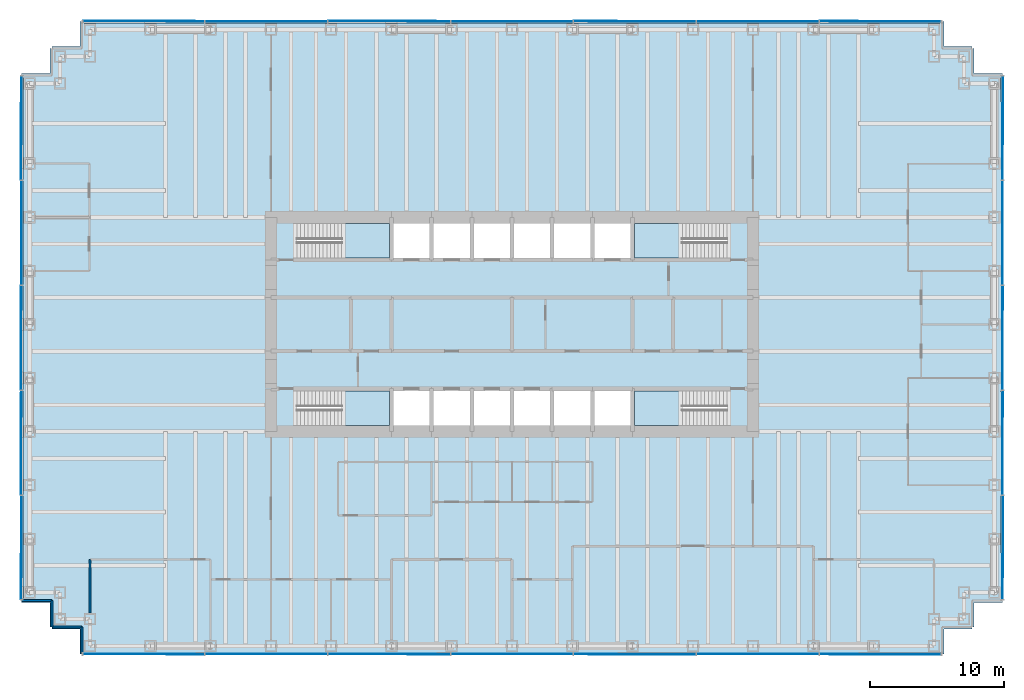
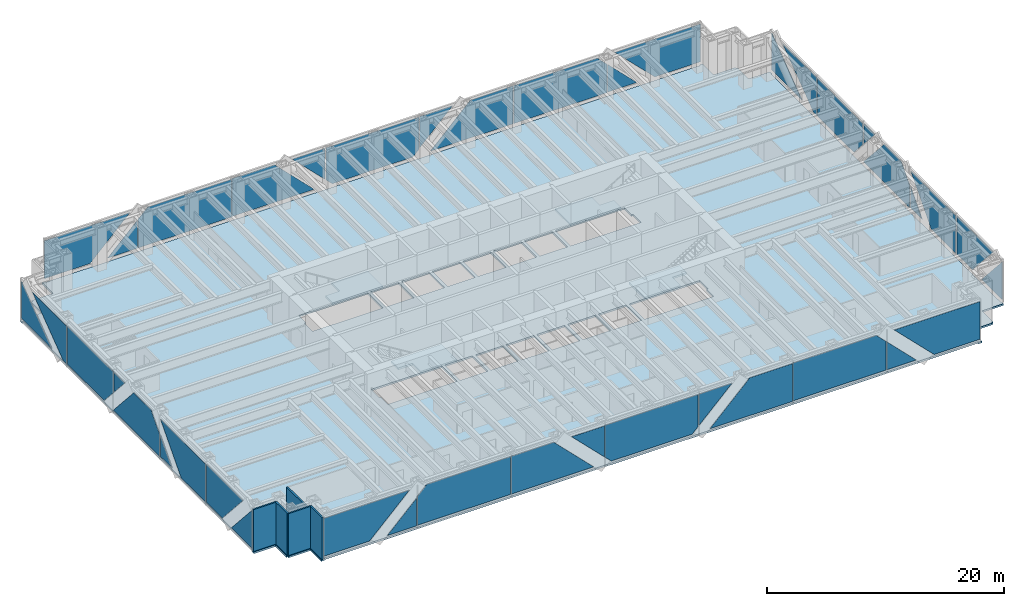
# One storey, part 8 of 13: 40 plates, 5 slabs, 5 walls, 8 elements without a shape of their own.
"""IFC4 building model written with IfcOpenShell, lengths in metres."""

from ifc_helpers import new_model, si_unit, direction, frame, frame_2d, origin, place, context, subcontext, project, spatial, polyline, rectangle, outline, extrude, material, layer, layer_set, type_object, element, aggregate, save


model = new_model("IFC4")

# Units and contexts
model_context = context("Model", 3, precision=1e-05, world=origin(), true_north=direction((0.0, 1.0)))
body_context = subcontext(model_context, "Body", "Model", "MODEL_VIEW")
ifc_project = project(units=[si_unit("LENGTHUNIT", "METRE"), si_unit("AREAUNIT", "SQUARE_METRE"), si_unit("VOLUMEUNIT", "CUBIC_METRE"), si_unit("PLANEANGLEUNIT", "RADIAN"), si_unit("MASSUNIT", "GRAM", prefix="KILO")], contexts=[model_context])

# Site, building, storey
site_placement = place(None, origin())
site = spatial("IfcSite", under=ifc_project, at=site_placement, CompositionType="ELEMENT")
building_placement = place(site_placement, origin())
building = spatial("IfcBuilding", under=site, at=building_placement, Name="Rheinbord Bourse Tower", CompositionType="ELEMENT")
storey_placement = place(building_placement, frame((0.0, 0.0, 36.5)))
storey = spatial("IfcBuildingStorey", under=building, at=storey_placement, Name="L07", CompositionType="ELEMENT", Elevation=36.5)

# Slab
ifc_material_1 = material(Name="Concrete C30/37", Category="concrete")
ifc_layer_1 = layer(ifc_material_1, 0.179931640625)
ifc_layer_set_1 = layer_set([ifc_layer_1], Name="COMPOSITE FLOOR SLAB 180")
slab_type_1 = type_object("IfcSlabType", Name="COMPOSITE FLOOR SLAB 180", PredefinedType="FLOOR", material=ifc_layer_set_1)
slab_1_placement = place(storey_placement, frame((0.0, 0.0, -0.179931640625)))
element("IfcSlab", 1, at=slab_1_placement, inside=storey, type_object=slab_type_1, Name="Floor slab L07", PredefinedType="FLOOR", context=body_context, shape_type="SweptSolid", body=[
    extrude(outline(polyline([(1.64990234375, 1.39990234375), (1.5, 1.39990234375), (1.5, 3.25), (-0.60009765625, 3.25), (-0.60009765625, 3.550048828125), (-0.5, 3.550048828125), (-0.5, 42.449951171875), (-0.60009765625, 42.449951171875), (-0.60009765625, 42.75), (1.5, 42.75), (1.5, 44.60009765625), (1.64990234375, 44.60009765625), (1.64990234375, 44.75), (3.75, 44.75), (3.75, 46.60009765625), (4.050048828125, 46.60009765625), (4.050048828125, 46.5), (67.949951171875, 46.5), (67.949951171875, 46.60009765625), (68.25, 46.60009765625), (68.25, 44.75), (70.35009765625, 44.75), (70.35009765625, 44.60009765625), (70.5, 44.60009765625), (70.5, 42.75), (72.60009765625, 42.75), (72.60009765625, 42.449951171875), (72.5, 42.449951171875), (72.5, 3.550048828125), (72.60009765625, 3.550048828125), (72.60009765625, 3.25), (70.5, 3.25), (70.5, 1.39990234375), (70.35009765625, 1.39990234375), (70.35009765625, 1.25), (68.25, 1.25), (68.25, -0.60009765625), (67.949951171875, -0.60009765625), (67.949951171875, -0.5), (4.050048828125, -0.5), (4.050048828125, -0.60009765625), (3.75, -0.60009765625), (3.75, 1.25), (1.64990234375, 1.25), (1.64990234375, 1.39990234375)]), holes=[polyline([(19.949951171875, 19.050048828125), (26.85009765625, 19.050048828125), (26.85009765625, 16.449951171875), (20.10009765625, 16.449951171875), (20.10009765625, 17.64990234375), (19.949951171875, 17.64990234375), (19.949951171875, 19.050048828125)]), polyline([(26.85009765625, 31.550048828125), (26.85009765625, 28.949951171875), (19.949951171875, 28.949951171875), (19.949951171875, 30.35009765625), (20.10009765625, 30.35009765625), (20.10009765625, 31.550048828125), (26.85009765625, 31.550048828125)]), polyline([(45.14990234375, 16.449951171875), (45.14990234375, 19.050048828125), (52.050048828125, 19.050048828125), (52.050048828125, 17.64990234375), (51.89990234375, 17.64990234375), (51.89990234375, 16.449951171875), (45.14990234375, 16.449951171875)]), polyline([(52.050048828125, 28.949951171875), (45.14990234375, 28.949951171875), (45.14990234375, 31.550048828125), (51.89990234375, 31.550048828125), (51.89990234375, 30.35009765625), (52.050048828125, 30.35009765625), (52.050048828125, 28.949951171875)]), polyline([(27.14990234375, 16.449951171875), (27.14990234375, 19.050048828125), (29.85009765625, 19.050048828125), (29.85009765625, 16.449951171875), (27.14990234375, 16.449951171875)]), polyline([(27.14990234375, 28.949951171875), (27.14990234375, 31.550048828125), (29.85009765625, 31.550048828125), (29.85009765625, 28.949951171875), (27.14990234375, 28.949951171875)]), polyline([(30.14990234375, 16.449951171875), (30.14990234375, 19.050048828125), (32.85009765625, 19.050048828125), (32.85009765625, 16.449951171875), (30.14990234375, 16.449951171875)]), polyline([(30.14990234375, 28.949951171875), (30.14990234375, 31.550048828125), (32.85009765625, 31.550048828125), (32.85009765625, 28.949951171875), (30.14990234375, 28.949951171875)]), polyline([(33.14990234375, 16.449951171875), (33.14990234375, 19.050048828125), (35.85009765625, 19.050048828125), (35.85009765625, 16.449951171875), (33.14990234375, 16.449951171875)]), polyline([(33.14990234375, 28.949951171875), (33.14990234375, 31.550048828125), (35.85009765625, 31.550048828125), (35.85009765625, 28.949951171875), (33.14990234375, 28.949951171875)]), polyline([(36.14990234375, 16.449951171875), (36.14990234375, 19.050048828125), (38.85009765625, 19.050048828125), (38.85009765625, 16.449951171875), (36.14990234375, 16.449951171875)]), polyline([(36.14990234375, 28.949951171875), (36.14990234375, 31.550048828125), (38.85009765625, 31.550048828125), (38.85009765625, 28.949951171875), (36.14990234375, 28.949951171875)]), polyline([(39.14990234375, 16.449951171875), (39.14990234375, 19.050048828125), (41.85009765625, 19.050048828125), (41.85009765625, 16.449951171875), (39.14990234375, 16.449951171875)]), polyline([(39.14990234375, 28.949951171875), (39.14990234375, 31.550048828125), (41.85009765625, 31.550048828125), (41.85009765625, 28.949951171875), (39.14990234375, 28.949951171875)]), polyline([(42.14990234375, 16.449951171875), (42.14990234375, 19.050048828125), (44.85009765625, 19.050048828125), (44.85009765625, 16.449951171875), (42.14990234375, 16.449951171875)]), polyline([(42.14990234375, 28.949951171875), (42.14990234375, 31.550048828125), (44.85009765625, 31.550048828125), (44.85009765625, 28.949951171875), (42.14990234375, 28.949951171875)])]), origin(), (0.0, 0.0, 1.0), 0.179931640625),
])

# Curtain wall, plates
ifc_material_2 = material(Name="Dark glass and black aluminium", Category="aluminium")
curtain_wall_type = type_object("IfcCurtainWallType", Name="CW1 DARK GLASS CURTAIN WALL", PredefinedType="USERDEFINED", material=ifc_material_2)
curtain_wall_1_placement = place(storey_placement, origin())
curtain_wall_1 = element("IfcCurtainWall", 2, at=curtain_wall_1_placement, inside=storey, type_object=curtain_wall_type, Name="Curtain wall CW1 S L07", ObjectType="UNITISED CURTAIN WALL", PredefinedType="USERDEFINED")
ifc_material_3 = material(Name="Dark tinted triple insulating glass", Category="glass")
ifc_layer_2 = layer(ifc_material_3, 0.0439453125)
ifc_layer_set_2 = layer_set([ifc_layer_2], Name="CW1 DARK GLASS PANEL")
plate_type = type_object("IfcPlateType", Name="CW1 DARK GLASS PANEL", PredefinedType="CURTAIN_PANEL", material=ifc_layer_set_2)
plate_1_placement = place(storey_placement, frame((3.97998046875, -0.6220703125, 0.300048828125), z_axis=(0.0, 1.0, 0.0), x_axis=(0.0, 0.0, 1.0)))
plate_1 = element("IfcPlate", 3, at=plate_1_placement, type_object=plate_type, Name="CW1 glass facet 1", PredefinedType="CURTAIN_PANEL", context=body_context, shape_type="SweptSolid", body=[
    extrude(outline(polyline([(0.0, 0.0), (3.89990234375, 0.0), (3.89990234375, 8.364013671875), (0.0, 4.464111328125), (0.0, 0.0)])), origin(), (0.0, 0.0, 1.0), 0.0439453125),
])
plate_2_placement = place(storey_placement, frame((13.031005859375, -0.6708984375, 0.300048828125), z_axis=(0.0, 1.0, 0.0), x_axis=(-1.0, 0.0, 0.0)))
plate_2 = element("IfcPlate", 4, at=plate_2_placement, type_object=plate_type, Name="CW1 glass facet 2", PredefinedType="CURTAIN_PANEL", context=body_context, shape_type="SweptSolid", body=[
    extrude(outline(polyline([(0.0, 0.0), (2.875, 0.0), (0.0, 2.8759765625), (0.0, 0.0)])), origin(), (0.0, 0.0, 1.0), 0.0439453125),
])
plate_3_placement = place(storey_placement, frame((22.202880859375, -0.6220703125, 4.199951171875), z_axis=(0.0, 1.0, 0.0), x_axis=(0.0, 0.0, -1.0)))
plate_3 = element("IfcPlate", 5, at=plate_3_placement, type_object=plate_type, Name="CW1 glass facet 1", PredefinedType="CURTAIN_PANEL", context=body_context, shape_type="SweptSolid", body=[
    extrude(outline(polyline([(0.0, 0.0), (3.89990234375, 0.0), (3.89990234375, 9.091796875), (0.94384765625, 9.091796875), (0.0, 8.14697265625), (0.0, 0.0)])), origin(), (0.0, 0.0, 1.0), 0.0439453125),
])
plate_4_placement = place(storey_placement, frame((22.282958984375, -0.6220703125, 0.300048828125), z_axis=(0.0, 1.0, 0.0), x_axis=(0.0, 0.0, 1.0)))
plate_4 = element("IfcPlate", 6, at=plate_4_placement, type_object=plate_type, Name="CW1 glass facet 1", PredefinedType="CURTAIN_PANEL", context=body_context, shape_type="SweptSolid", body=[
    extrude(outline(polyline([(0.0, 0.0), (3.89990234375, 0.0), (3.89990234375, 4.1611328125), (0.0, 8.06103515625), (0.0, 0.0)])), origin(), (0.0, 0.0, 1.0), 0.0439453125),
])
plate_5_placement = place(storey_placement, frame((31.3740234375, -0.6708984375, 4.199951171875), z_axis=(0.0, 1.0, 0.0), x_axis=(0.0, 0.0, -1.0)))
plate_5 = element("IfcPlate", 7, at=plate_5_placement, type_object=plate_type, Name="CW1 glass facet 2", PredefinedType="CURTAIN_PANEL", context=body_context, shape_type="SweptSolid", body=[
    extrude(outline(polyline([(0.0, 0.0), (3.218994140625, 0.0), (0.0, 3.218017578125), (0.0, 0.0)])), origin(), (0.0, 0.0, 1.0), 0.0439453125),
])
plate_6_placement = place(storey_placement, frame((32.055908203125, -0.6220703125, 0.300048828125), z_axis=(0.0, 1.0, 0.0), x_axis=(-0.707680731212, 0.0, 0.706532364914)))
plate_6 = element("IfcPlate", 8, at=plate_6_placement, type_object=plate_type, Name="CW1 glass facet 1", PredefinedType="CURTAIN_PANEL", context=body_context, shape_type="SweptSolid", body=[
    extrude(outline(polyline([(0.0, 0.0), (0.850341796875, 0.0), (3.181396484375, 2.334716796875), (-3.252685546875, 8.75830078125), (-5.583740234375, 6.423583984375), (-5.582275390625, 5.5732421875), (0.0, 0.0)])), origin(), (0.0, 0.0, 1.0), 0.0439453125),
])
plate_7_placement = place(storey_placement, frame((40.6259765625, -0.6220703125, 4.199951171875), z_axis=(0.0, 1.0, 0.0), x_axis=(1.0, 0.0, 0.0)))
plate_7 = element("IfcPlate", 9, at=plate_7_placement, type_object=plate_type, Name="CW1 glass facet 1", PredefinedType="CURTAIN_PANEL", context=body_context, shape_type="SweptSolid", body=[
    extrude(outline(polyline([(0.0, 0.0), (3.218017578125, 0.0), (0.0, 3.218994140625), (0.0, 0.0)])), origin(), (0.0, 0.0, 1.0), 0.0439453125),
])
plate_8_placement = place(storey_placement, frame((49.717041015625, -0.6708984375, 4.199951171875), z_axis=(0.0, 1.0, 0.0), x_axis=(0.0, 0.0, -1.0)))
plate_8 = element("IfcPlate", 10, at=plate_8_placement, type_object=plate_type, Name="CW1 glass facet 2", PredefinedType="CURTAIN_PANEL", context=body_context, shape_type="SweptSolid", body=[
    extrude(outline(polyline([(0.0, 0.0), (3.89990234375, 0.0), (3.89990234375, 8.06103515625), (0.0, 4.1611328125), (0.0, 0.0)])), origin(), (0.0, 0.0, 1.0), 0.0439453125),
])
plate_9_placement = place(storey_placement, frame((58.888916015625, -0.6220703125, 0.300048828125), z_axis=(0.0, 1.0, 0.0), x_axis=(-1.0, 0.0, 0.0)))
plate_9 = element("IfcPlate", 11, at=plate_9_placement, type_object=plate_type, Name="CW1 glass facet 1", PredefinedType="CURTAIN_PANEL", context=body_context, shape_type="SweptSolid", body=[
    extrude(outline(polyline([(0.0, 0.0), (9.091796875, 0.0), (9.091796875, 3.89990234375), (0.94482421875, 3.89990234375), (0.0, 2.9560546875), (0.0, 0.0)])), origin(), (0.0, 0.0, 1.0), 0.0439453125),
])
plate_10_placement = place(storey_placement, frame((58.968994140625, -0.6220703125, 0.300048828125), z_axis=(0.0, 1.0, 0.0), x_axis=(0.0, 0.0, 1.0)))
plate_10 = element("IfcPlate", 12, at=plate_10_placement, type_object=plate_type, Name="CW1 glass facet 1", PredefinedType="CURTAIN_PANEL", context=body_context, shape_type="SweptSolid", body=[
    extrude(outline(polyline([(0.0, 0.0), (2.8759765625, 0.0), (0.0, 2.875), (0.0, 0.0)])), origin(), (0.0, 0.0, 1.0), 0.0439453125),
])
plate_11_placement = place(storey_placement, frame((68.02001953125, -0.6708984375, 4.199951171875), z_axis=(0.0, 1.0, 0.0), x_axis=(0.0, 0.0, -1.0)))
plate_11 = element("IfcPlate", 13, at=plate_11_placement, type_object=plate_type, Name="CW1 glass facet 2", PredefinedType="CURTAIN_PANEL", context=body_context, shape_type="SweptSolid", body=[
    extrude(outline(polyline([(0.0, 0.0), (3.89990234375, 0.0), (3.89990234375, 4.464111328125), (0.0, 8.364013671875), (0.0, 0.0)])), origin(), (0.0, 0.0, 1.0), 0.0439453125),
])
aggregate(curtain_wall_1, [plate_1, plate_2, plate_3, plate_4, plate_5, plate_6, plate_7, plate_8, plate_9, plate_10, plate_11])

curtain_wall_2_placement = place(storey_placement, origin())
curtain_wall_2 = element("IfcCurtainWall", 14, at=curtain_wall_2_placement, inside=storey, type_object=curtain_wall_type, Name="Curtain wall CW1 E L07", ObjectType="UNITISED CURTAIN WALL", PredefinedType="USERDEFINED")
plate_12_placement = place(storey_placement, frame((72.6220703125, 3.47998046875, 0.300048828125), z_axis=(-1.0, 0.0, 0.0), x_axis=(0.0, 0.0, 1.0)))
plate_12 = element("IfcPlate", 15, at=plate_12_placement, type_object=plate_type, Name="CW1 glass facet 1", PredefinedType="CURTAIN_PANEL", context=body_context, shape_type="SweptSolid", body=[
    extrude(outline(polyline([(0.0, 0.0), (3.8740234375, 0.0), (0.0, 3.444091796875), (0.0, 0.0)])), origin(), (0.0, 0.0, 1.0), 0.0439453125),
])
plate_13_placement = place(storey_placement, frame((72.6708984375, 11.199951171875, 4.199951171875), z_axis=(-1.0, 0.0, 0.0), x_axis=(0.0, 0.0, -1.0)))
plate_13 = element("IfcPlate", 16, at=plate_13_placement, type_object=plate_type, Name="CW1 glass facet 2", PredefinedType="CURTAIN_PANEL", context=body_context, shape_type="SweptSolid", body=[
    extrude(outline(polyline([(0.0, 0.0), (3.89990234375, 0.0), (3.89990234375, 2.656982421875), (0.0, 6.1240234375), (0.0, 0.0)])), origin(), (0.0, 0.0, 1.0), 0.0439453125),
])
plate_14_placement = place(storey_placement, frame((72.6220703125, 11.280029296875, 0.300048828125), z_axis=(-1.0, 0.0, 0.0), x_axis=(0.0, 0.0, 1.0)))
plate_14 = element("IfcPlate", 17, at=plate_14_placement, type_object=plate_type, Name="CW1 glass facet 1", PredefinedType="CURTAIN_PANEL", context=body_context, shape_type="SweptSolid", body=[
    extrude(outline(polyline([(0.0, 0.0), (3.89990234375, 0.0), (3.89990234375, 7.64404296875), (0.0, 4.177001953125), (0.0, 0.0)])), origin(), (0.0, 0.0, 1.0), 0.0439453125),
])
plate_15_placement = place(storey_placement, frame((72.6708984375, 19.0400390625, 0.300048828125), z_axis=(-1.0, 0.0, 0.0), x_axis=(0.0, -1.0, 0.0)))
plate_15 = element("IfcPlate", 18, at=plate_15_placement, type_object=plate_type, Name="CW1 glass facet 2", PredefinedType="CURTAIN_PANEL", context=body_context, shape_type="SweptSolid", body=[
    extrude(outline(polyline([(0.0, 0.0), (1.964111328125, 0.0), (0.0, 2.208984375), (0.0, 0.0)])), origin(), (0.0, 0.0, 1.0), 0.0439453125),
])
plate_16_placement = place(storey_placement, frame((72.6220703125, 26.8798828125, 0.300048828125), z_axis=(-1.0, 0.0, 0.0), x_axis=(0.0, -1.0, 0.0)))
plate_16 = element("IfcPlate", 19, at=plate_16_placement, type_object=plate_type, Name="CW1 glass facet 1", PredefinedType="CURTAIN_PANEL", context=body_context, shape_type="SweptSolid", body=[
    extrude(outline(polyline([(0.0, 0.0), (7.759765625, 0.0), (7.759765625, 2.299072265625), (6.3369140625, 3.89990234375), (3.4228515625, 3.89990234375), (0.0, 0.049072265625), (0.0, 0.0)])), origin(), (0.0, 0.0, 1.0), 0.0439453125),
])
plate_17_placement = place(storey_placement, frame((72.6708984375, 26.8798828125, 4.199951171875), z_axis=(-1.0, 0.0, 0.0), x_axis=(0.0, 0.0, -1.0)))
plate_17 = element("IfcPlate", 20, at=plate_17_placement, type_object=plate_type, Name="CW1 glass facet 2", PredefinedType="CURTAIN_PANEL", context=body_context, shape_type="SweptSolid", body=[
    extrude(outline(polyline([(0.0, 0.0), (2.029052734375, 0.0), (0.0, 1.803955078125), (0.0, 0.0)])), origin(), (0.0, 0.0, 1.0), 0.0439453125),
])
plate_18_placement = place(storey_placement, frame((72.6220703125, 26.9599609375, 4.199951171875), z_axis=(-1.0, 0.0, 0.0), x_axis=(0.0, 1.0, 0.0)))
plate_18 = element("IfcPlate", 21, at=plate_18_placement, type_object=plate_type, Name="CW1 glass facet 1", PredefinedType="CURTAIN_PANEL", context=body_context, shape_type="SweptSolid", body=[
    extrude(outline(polyline([(0.0, 0.0), (7.760009765625, 0.0), (7.760009765625, 3.89990234375), (1.5830078125, 3.89990234375), (0.0, 2.118896484375), (0.0, 0.0)])), origin(), (0.0, 0.0, 1.0), 0.0439453125),
])
plate_19_placement = place(storey_placement, frame((72.6220703125, 34.800048828125, 0.300048828125), z_axis=(-1.0, 0.0, 0.0), x_axis=(0.0, 0.0, 1.0)))
plate_19 = element("IfcPlate", 22, at=plate_19_placement, type_object=plate_type, Name="CW1 glass facet 1", PredefinedType="CURTAIN_PANEL", context=body_context, shape_type="SweptSolid", body=[
    extrude(outline(polyline([(0.0, 0.0), (3.89990234375, 0.0), (3.89990234375, 5.7919921875), (0.0, 0.592041015625), (0.0, 0.0)])), origin(), (0.0, 0.0, 1.0), 0.0439453125),
])
plate_20_placement = place(storey_placement, frame((72.6708984375, 42.52001953125, 0.300048828125), z_axis=(-1.0, 0.0, 0.0), x_axis=(0.0, -1.0, 0.0)))
plate_20 = element("IfcPlate", 23, at=plate_20_placement, type_object=plate_type, Name="CW1 glass facet 2", PredefinedType="CURTAIN_PANEL", context=body_context, shape_type="SweptSolid", body=[
    extrude(outline(polyline([(0.0, 0.0), (5.112060546875, 0.0), (0.0, 3.833984375), (0.0, 0.0)])), origin(), (0.0, 0.0, 1.0), 0.0439453125),
])
aggregate(curtain_wall_2, [plate_12, plate_13, plate_14, plate_15, plate_16, plate_17, plate_18, plate_19, plate_20])

curtain_wall_3_placement = place(storey_placement, origin())
curtain_wall_3 = element("IfcCurtainWall", 24, at=curtain_wall_3_placement, inside=storey, type_object=curtain_wall_type, Name="Curtain wall CW1 N L07", ObjectType="UNITISED CURTAIN WALL", PredefinedType="USERDEFINED")
plate_21_placement = place(storey_placement, frame((68.02001953125, 46.6220703125, 0.300048828125), z_axis=(0.0, -1.0, 0.0), x_axis=(0.0, 0.0, 1.0)))
plate_21 = element("IfcPlate", 25, at=plate_21_placement, type_object=plate_type, Name="CW1 glass facet 1", PredefinedType="CURTAIN_PANEL", context=body_context, shape_type="SweptSolid", body=[
    extrude(outline(polyline([(0.0, 0.0), (3.89990234375, 0.0), (3.89990234375, 8.364013671875), (0.0, 4.464111328125), (0.0, 0.0)])), origin(), (0.0, 0.0, 1.0), 0.0439453125),
])
plate_22_placement = place(storey_placement, frame((58.968994140625, 46.6708984375, 0.300048828125), z_axis=(0.0, -1.0, 0.0), x_axis=(1.0, 0.0, 0.0)))
plate_22 = element("IfcPlate", 26, at=plate_22_placement, type_object=plate_type, Name="CW1 glass facet 2", PredefinedType="CURTAIN_PANEL", context=body_context, shape_type="SweptSolid", body=[
    extrude(outline(polyline([(0.0, 0.0), (2.875, 0.0), (0.0, 2.8759765625), (0.0, 0.0)])), origin(), (0.0, 0.0, 1.0), 0.0439453125),
])
plate_23_placement = place(storey_placement, frame((49.797119140625, 46.6220703125, 4.199951171875), z_axis=(0.0, -1.0, 0.0), x_axis=(0.0, 0.0, -1.0)))
plate_23 = element("IfcPlate", 27, at=plate_23_placement, type_object=plate_type, Name="CW1 glass facet 1", PredefinedType="CURTAIN_PANEL", context=body_context, shape_type="SweptSolid", body=[
    extrude(outline(polyline([(0.0, 0.0), (3.89990234375, 0.0), (3.89990234375, 9.091796875), (0.94384765625, 9.091796875), (0.0, 8.14697265625), (0.0, 0.0)])), origin(), (0.0, 0.0, 1.0), 0.0439453125),
])
plate_24_placement = place(storey_placement, frame((49.717041015625, 46.6220703125, 0.300048828125), z_axis=(0.0, -1.0, 0.0), x_axis=(0.0, 0.0, 1.0)))
plate_24 = element("IfcPlate", 28, at=plate_24_placement, type_object=plate_type, Name="CW1 glass facet 1", PredefinedType="CURTAIN_PANEL", context=body_context, shape_type="SweptSolid", body=[
    extrude(outline(polyline([(0.0, 0.0), (3.89990234375, 0.0), (3.89990234375, 4.1611328125), (0.0, 8.06103515625), (0.0, 0.0)])), origin(), (0.0, 0.0, 1.0), 0.0439453125),
])
plate_25_placement = place(storey_placement, frame((40.6259765625, 46.6708984375, 4.199951171875), z_axis=(0.0, -1.0, 0.0), x_axis=(0.0, 0.0, -1.0)))
plate_25 = element("IfcPlate", 29, at=plate_25_placement, type_object=plate_type, Name="CW1 glass facet 2", PredefinedType="CURTAIN_PANEL", context=body_context, shape_type="SweptSolid", body=[
    extrude(outline(polyline([(0.0, 0.0), (3.218994140625, 0.0), (0.0, 3.218017578125), (0.0, 0.0)])), origin(), (0.0, 0.0, 1.0), 0.0439453125),
])
plate_26_placement = place(storey_placement, frame((39.944091796875, 46.6220703125, 0.300048828125), z_axis=(0.0, -1.0, 0.0), x_axis=(0.707680731212, 0.0, 0.706532364914)))
plate_26 = element("IfcPlate", 30, at=plate_26_placement, type_object=plate_type, Name="CW1 glass facet 1", PredefinedType="CURTAIN_PANEL", context=body_context, shape_type="SweptSolid", body=[
    extrude(outline(polyline([(0.0, 0.0), (0.850341796875, 0.0), (3.181396484375, 2.334716796875), (-3.252685546875, 8.75830078125), (-5.583740234375, 6.423583984375), (-5.582275390625, 5.5732421875), (0.0, 0.0)])), origin(), (0.0, 0.0, 1.0), 0.0439453125),
])
plate_27_placement = place(storey_placement, frame((31.3740234375, 46.6220703125, 4.199951171875), z_axis=(0.0, -1.0, 0.0), x_axis=(-1.0, 0.0, 0.0)))
plate_27 = element("IfcPlate", 31, at=plate_27_placement, type_object=plate_type, Name="CW1 glass facet 1", PredefinedType="CURTAIN_PANEL", context=body_context, shape_type="SweptSolid", body=[
    extrude(outline(polyline([(0.0, 0.0), (3.218017578125, 0.0), (0.0, 3.218994140625), (0.0, 0.0)])), origin(), (0.0, 0.0, 1.0), 0.0439453125),
])
plate_28_placement = place(storey_placement, frame((22.282958984375, 46.6708984375, 4.199951171875), z_axis=(0.0, -1.0, 0.0), x_axis=(0.0, 0.0, -1.0)))
plate_28 = element("IfcPlate", 32, at=plate_28_placement, type_object=plate_type, Name="CW1 glass facet 2", PredefinedType="CURTAIN_PANEL", context=body_context, shape_type="SweptSolid", body=[
    extrude(outline(polyline([(0.0, 0.0), (3.89990234375, 0.0), (3.89990234375, 8.06103515625), (0.0, 4.1611328125), (0.0, 0.0)])), origin(), (0.0, 0.0, 1.0), 0.0439453125),
])
plate_29_placement = place(storey_placement, frame((13.111083984375, 46.6220703125, 0.300048828125), z_axis=(0.0, -1.0, 0.0), x_axis=(1.0, 0.0, 0.0)))
plate_29 = element("IfcPlate", 33, at=plate_29_placement, type_object=plate_type, Name="CW1 glass facet 1", PredefinedType="CURTAIN_PANEL", context=body_context, shape_type="SweptSolid", body=[
    extrude(outline(polyline([(0.0, 0.0), (9.091796875, 0.0), (9.091796875, 3.89990234375), (0.94482421875, 3.89990234375), (0.0, 2.9560546875), (0.0, 0.0)])), origin(), (0.0, 0.0, 1.0), 0.0439453125),
])
plate_30_placement = place(storey_placement, frame((13.031005859375, 46.6220703125, 0.300048828125), z_axis=(0.0, -1.0, 0.0), x_axis=(0.0, 0.0, 1.0)))
plate_30 = element("IfcPlate", 34, at=plate_30_placement, type_object=plate_type, Name="CW1 glass facet 1", PredefinedType="CURTAIN_PANEL", context=body_context, shape_type="SweptSolid", body=[
    extrude(outline(polyline([(0.0, 0.0), (2.8759765625, 0.0), (0.0, 2.875), (0.0, 0.0)])), origin(), (0.0, 0.0, 1.0), 0.0439453125),
])
plate_31_placement = place(storey_placement, frame((3.97998046875, 46.6708984375, 4.199951171875), z_axis=(0.0, -1.0, 0.0), x_axis=(0.0, 0.0, -1.0)))
plate_31 = element("IfcPlate", 35, at=plate_31_placement, type_object=plate_type, Name="CW1 glass facet 2", PredefinedType="CURTAIN_PANEL", context=body_context, shape_type="SweptSolid", body=[
    extrude(outline(polyline([(0.0, 0.0), (3.89990234375, 0.0), (3.89990234375, 4.464111328125), (0.0, 8.364013671875), (0.0, 0.0)])), origin(), (0.0, 0.0, 1.0), 0.0439453125),
])
aggregate(curtain_wall_3, [plate_21, plate_22, plate_23, plate_24, plate_25, plate_26, plate_27, plate_28, plate_29, plate_30, plate_31])

curtain_wall_4_placement = place(storey_placement, origin())
curtain_wall_4 = element("IfcCurtainWall", 36, at=curtain_wall_4_placement, inside=storey, type_object=curtain_wall_type, Name="Curtain wall CW1 W L07", ObjectType="UNITISED CURTAIN WALL", PredefinedType="USERDEFINED")
plate_32_placement = place(storey_placement, frame((-0.6220703125, 42.52001953125, 0.300048828125), z_axis=(1.0, 0.0, 0.0), x_axis=(0.0, 0.0, 1.0)))
plate_32 = element("IfcPlate", 37, at=plate_32_placement, type_object=plate_type, Name="CW1 glass facet 1", PredefinedType="CURTAIN_PANEL", context=body_context, shape_type="SweptSolid", body=[
    extrude(outline(polyline([(0.0, 0.0), (3.833984375, 0.0), (0.0, 5.112060546875), (0.0, 0.0)])), origin(), (0.0, 0.0, 1.0), 0.0439453125),
])
plate_33_placement = place(storey_placement, frame((-0.6708984375, 34.800048828125, 4.199951171875), z_axis=(1.0, 0.0, 0.0), x_axis=(0.0, 0.0, -1.0)))
plate_33 = element("IfcPlate", 38, at=plate_33_placement, type_object=plate_type, Name="CW1 glass facet 2", PredefinedType="CURTAIN_PANEL", context=body_context, shape_type="SweptSolid", body=[
    extrude(outline(polyline([(0.0, 0.0), (3.89990234375, 0.0), (3.89990234375, 0.592041015625), (0.0, 5.7919921875), (0.0, 0.0)])), origin(), (0.0, 0.0, 1.0), 0.0439453125),
])
plate_34_placement = place(storey_placement, frame((-0.6220703125, 34.719970703125, 0.300048828125), z_axis=(1.0, 0.0, 0.0), x_axis=(0.0, 0.0, 1.0)))
plate_34 = element("IfcPlate", 39, at=plate_34_placement, type_object=plate_type, Name="CW1 glass facet 1", PredefinedType="CURTAIN_PANEL", context=body_context, shape_type="SweptSolid", body=[
    extrude(outline(polyline([(0.0, 0.0), (3.89990234375, 0.0), (3.89990234375, 7.760009765625), (1.781005859375, 7.760009765625), (0.0, 6.177001953125), (0.0, 0.0)])), origin(), (0.0, 0.0, 1.0), 0.0439453125),
])
plate_35_placement = place(storey_placement, frame((-0.6220703125, 26.8798828125, 4.199951171875), z_axis=(1.0, 0.0, 0.0), x_axis=(0.0, -1.0, 0.0)))
plate_35 = element("IfcPlate", 40, at=plate_35_placement, type_object=plate_type, Name="CW1 glass facet 1", PredefinedType="CURTAIN_PANEL", context=body_context, shape_type="SweptSolid", body=[
    extrude(outline(polyline([(0.0, 0.0), (1.803955078125, 0.0), (0.0, 2.029052734375), (0.0, 0.0)])), origin(), (0.0, 0.0, 1.0), 0.0439453125),
])
plate_36_placement = place(storey_placement, frame((-0.6708984375, 19.1201171875, 0.300048828125), z_axis=(1.0, 0.0, 0.0), x_axis=(0.0, 1.0, 0.0)))
plate_36 = element("IfcPlate", 41, at=plate_36_placement, type_object=plate_type, Name="CW1 glass facet 2", PredefinedType="CURTAIN_PANEL", context=body_context, shape_type="SweptSolid", body=[
    extrude(outline(polyline([(0.0, 0.0), (7.759765625, 0.0), (7.759765625, 0.049072265625), (4.3369140625, 3.89990234375), (1.4228515625, 3.89990234375), (0.0, 2.299072265625), (0.0, 0.0)])), origin(), (0.0, 0.0, 1.0), 0.0439453125),
])
plate_37_placement = place(storey_placement, frame((-0.6220703125, 19.0400390625, 0.300048828125), z_axis=(1.0, 0.0, 0.0), x_axis=(0.0, 0.0, 1.0)))
plate_37 = element("IfcPlate", 42, at=plate_37_placement, type_object=plate_type, Name="CW1 glass facet 1", PredefinedType="CURTAIN_PANEL", context=body_context, shape_type="SweptSolid", body=[
    extrude(outline(polyline([(0.0, 0.0), (2.208984375, 0.0), (0.0, 1.964111328125), (0.0, 0.0)])), origin(), (0.0, 0.0, 1.0), 0.0439453125),
])
plate_38_placement = place(storey_placement, frame((-0.6708984375, 11.280029296875, 4.199951171875), z_axis=(1.0, 0.0, 0.0), x_axis=(0.0, 0.0, -1.0)))
plate_38 = element("IfcPlate", 43, at=plate_38_placement, type_object=plate_type, Name="CW1 glass facet 2", PredefinedType="CURTAIN_PANEL", context=body_context, shape_type="SweptSolid", body=[
    extrude(outline(polyline([(0.0, 0.0), (3.89990234375, 0.0), (3.89990234375, 4.177001953125), (0.0, 7.64404296875), (0.0, 0.0)])), origin(), (0.0, 0.0, 1.0), 0.0439453125),
])
plate_39_placement = place(storey_placement, frame((-0.6220703125, 11.199951171875, 0.300048828125), z_axis=(1.0, 0.0, 0.0), x_axis=(0.0, 0.0, 1.0)))
plate_39 = element("IfcPlate", 44, at=plate_39_placement, type_object=plate_type, Name="CW1 glass facet 1", PredefinedType="CURTAIN_PANEL", context=body_context, shape_type="SweptSolid", body=[
    extrude(outline(polyline([(0.0, 0.0), (3.89990234375, 0.0), (3.89990234375, 6.1240234375), (0.0, 2.656982421875), (0.0, 0.0)])), origin(), (0.0, 0.0, 1.0), 0.0439453125),
])
plate_40_placement = place(storey_placement, frame((-0.6708984375, 3.47998046875, 0.300048828125), z_axis=(1.0, 0.0, 0.0), x_axis=(0.0, 1.0, 0.0)))
plate_40 = element("IfcPlate", 45, at=plate_40_placement, type_object=plate_type, Name="CW1 glass facet 2", PredefinedType="CURTAIN_PANEL", context=body_context, shape_type="SweptSolid", body=[
    extrude(outline(polyline([(0.0, 0.0), (3.444091796875, 0.0), (0.0, 3.8740234375), (0.0, 0.0)])), origin(), (0.0, 0.0, 1.0), 0.0439453125),
])
aggregate(curtain_wall_4, [plate_32, plate_33, plate_34, plate_35, plate_36, plate_37, plate_38, plate_39, plate_40])

# Stair, slab
ifc_material_4 = material(Name="Concrete C30/37", Category="concrete")
stair_type = type_object("IfcStairType", Name="CORE STAIR HALF TURN 4500", PredefinedType="HALF_TURN_STAIR", material=ifc_material_4)
stair_1_placement = place(storey_placement, origin())
stair_1 = element("IfcStair", 46, at=stair_1_placement, inside=storey, type_object=stair_type, Name="Stair ST1 L07, type CS4", PredefinedType="HALF_TURN_STAIR")
ifc_material_5 = material(Name="Concrete C30/37", Category="concrete")
ifc_layer_3 = layer(ifc_material_5, 0.199951171875)
ifc_layer_set_3 = layer_set([ifc_layer_3], Name="STAIR LANDING 200")
slab_type_2 = type_object("IfcSlabType", Name="STAIR LANDING 200", PredefinedType="LANDING", material=ifc_layer_set_3)
slab_2_placement = place(storey_placement, frame((0.0, 0.0, 2.050048828125)))
slab_2 = element("IfcSlab", 47, at=slab_2_placement, type_object=slab_type_2, Name="Half landing ST1 L07", PredefinedType="LANDING", context=body_context, shape_type="SweptSolid", body=[
    extrude(outline(polyline([(23.31005859375, 16.449951171875), (26.85009765625, 16.449951171875), (26.85009765625, 19.050048828125), (21.916015625, 19.050048828125), (21.916015625, 17.85009765625), (23.31005859375, 17.85009765625), (23.31005859375, 16.449951171875)])), origin(), (0.0, 0.0, 1.0), 0.199951171875),
])
aggregate(stair_1, [slab_2])

stair_2_placement = place(storey_placement, origin())
stair_2 = element("IfcStair", 48, at=stair_2_placement, inside=storey, type_object=stair_type, Name="Stair ST2 L07, type CS4", PredefinedType="HALF_TURN_STAIR")
slab_3_placement = place(storey_placement, frame((0.0, 0.0, 2.050048828125)))
slab_3 = element("IfcSlab", 49, at=slab_3_placement, type_object=slab_type_2, Name="Half landing ST2 L07", PredefinedType="LANDING", context=body_context, shape_type="SweptSolid", body=[
    extrude(outline(polyline([(21.916015625, 28.949951171875), (26.85009765625, 28.949951171875), (26.85009765625, 31.550048828125), (23.31005859375, 31.550048828125), (23.31005859375, 30.14990234375), (21.916015625, 30.14990234375), (21.916015625, 28.949951171875)])), origin(), (0.0, 0.0, 1.0), 0.199951171875),
])
aggregate(stair_2, [slab_3])

stair_3_placement = place(storey_placement, origin())
stair_3 = element("IfcStair", 50, at=stair_3_placement, inside=storey, type_object=stair_type, Name="Stair ST3 L07, type CS4", PredefinedType="HALF_TURN_STAIR")
slab_4_placement = place(storey_placement, frame((0.0, 0.0, 2.050048828125)))
slab_4 = element("IfcSlab", 51, at=slab_4_placement, type_object=slab_type_2, Name="Half landing ST3 L07", PredefinedType="LANDING", context=body_context, shape_type="SweptSolid", body=[
    extrude(outline(polyline([(45.14990234375, 16.449951171875), (48.68994140625, 16.449951171875), (48.68994140625, 17.85009765625), (50.083984375, 17.85009765625), (50.083984375, 19.050048828125), (45.14990234375, 19.050048828125), (45.14990234375, 16.449951171875)])), origin(), (0.0, 0.0, 1.0), 0.199951171875),
])
aggregate(stair_3, [slab_4])

stair_4_placement = place(storey_placement, origin())
stair_4 = element("IfcStair", 52, at=stair_4_placement, inside=storey, type_object=stair_type, Name="Stair ST4 L07, type CS4", PredefinedType="HALF_TURN_STAIR")
slab_5_placement = place(storey_placement, frame((0.0, 0.0, 2.050048828125)))
slab_5 = element("IfcSlab", 53, at=slab_5_placement, type_object=slab_type_2, Name="Half landing ST4 L07", PredefinedType="LANDING", context=body_context, shape_type="SweptSolid", body=[
    extrude(outline(polyline([(45.14990234375, 28.949951171875), (50.083984375, 28.949951171875), (50.083984375, 30.14990234375), (48.68994140625, 30.14990234375), (48.68994140625, 31.550048828125), (45.14990234375, 31.550048828125), (45.14990234375, 28.949951171875)])), origin(), (0.0, 0.0, 1.0), 0.199951171875),
])
aggregate(stair_4, [slab_5])

# Walls
ifc_material_6 = material(Name="Black metal rainscreen panel", Category="aluminium")
ifc_layer_4 = layer(ifc_material_6, 0.14990234375)
ifc_layer_set_4 = layer_set([ifc_layer_4], Name="CORNER PIER CLADDING 150")
wall_type_1 = type_object("IfcWallType", Name="CORNER PIER CLADDING 150", PredefinedType="ELEMENTEDWALL", material=ifc_layer_set_4)
wall_1_placement = place(storey_placement, frame((-0.60009765625, 3.39990234375, 0.0), z_axis=(0.0, 0.0, 1.0), x_axis=(1.0, 0.0, 0.0)))
element("IfcWall", 54, at=wall_1_placement, inside=storey, type_object=wall_type_1, Name="Corner pier cladding L07 17", PredefinedType="ELEMENTEDWALL", context=body_context, shape_type="SweptSolid", body=[
    extrude(rectangle(XDim=2.25, YDim=0.14990234375, at=frame_2d((1.125, 0.0))), origin(), (0.0, 0.0, 1.0), 4.320068359375),
])
wall_2_placement = place(storey_placement, frame((1.64990234375, 3.39990234375, 0.0), z_axis=(0.0, 0.0, 1.0), x_axis=(0.0, -1.0, 0.0)))
element("IfcWall", 55, at=wall_2_placement, inside=storey, type_object=wall_type_1, Name="Corner pier cladding L07 18", PredefinedType="ELEMENTEDWALL", context=body_context, shape_type="SweptSolid", body=[
    extrude(rectangle(XDim=2.0, YDim=0.14990234375, at=frame_2d((1.0, 0.0))), origin(), (0.0, 0.0, 1.0), 4.320068359375),
])
wall_3_placement = place(storey_placement, frame((1.64990234375, 1.39990234375, 0.0), z_axis=(0.0, 0.0, 1.0), x_axis=(1.0, 0.0, 0.0)))
element("IfcWall", 56, at=wall_3_placement, inside=storey, type_object=wall_type_1, Name="Corner pier cladding L07 19", PredefinedType="ELEMENTEDWALL", context=body_context, shape_type="SweptSolid", body=[
    extrude(rectangle(XDim=2.25, YDim=0.14990234375, at=frame_2d((1.125, 0.0))), origin(), (0.0, 0.0, 1.0), 4.320068359375),
])
wall_4_placement = place(storey_placement, frame((3.89990234375, 1.39990234375, 0.0), z_axis=(0.0, 0.0, 1.0), x_axis=(0.0, -1.0, 0.0)))
element("IfcWall", 57, at=wall_4_placement, inside=storey, type_object=wall_type_1, Name="Corner pier cladding L07 20", PredefinedType="ELEMENTEDWALL", context=body_context, shape_type="SweptSolid", body=[
    extrude(rectangle(XDim=2.0, YDim=0.14990234375, at=frame_2d((1.0, 0.0))), origin(), (0.0, 0.0, 1.0), 4.320068359375),
])
ifc_material_7 = material(Name="Gypsum board partition", Category="gypsum board")
ifc_layer_5 = layer(ifc_material_7, 0.14990234375)
ifc_layer_set_5 = layer_set([ifc_layer_5], Name="PARTITION 150")
wall_type_2 = type_object("IfcWallType", Name="PARTITION 150", PredefinedType="PARTITIONING", material=ifc_layer_set_5)
wall_5_placement = place(storey_placement, frame((4.5, 2.449951171875, 0.0), z_axis=(0.0, 0.0, 1.0), x_axis=(0.0, 1.0, 0.0)))
element("IfcWall", 58, at=wall_5_placement, inside=storey, type_object=wall_type_2, Name="Partition L07-21", PredefinedType="PARTITIONING", context=body_context, shape_type="SweptSolid", body=[
    extrude(rectangle(XDim=4.0, YDim=0.14990234375, at=frame_2d((2.0, 0.0))), origin(), (0.0, 0.0, 1.0), 3.0),
])

save(model, "model.ifc")
